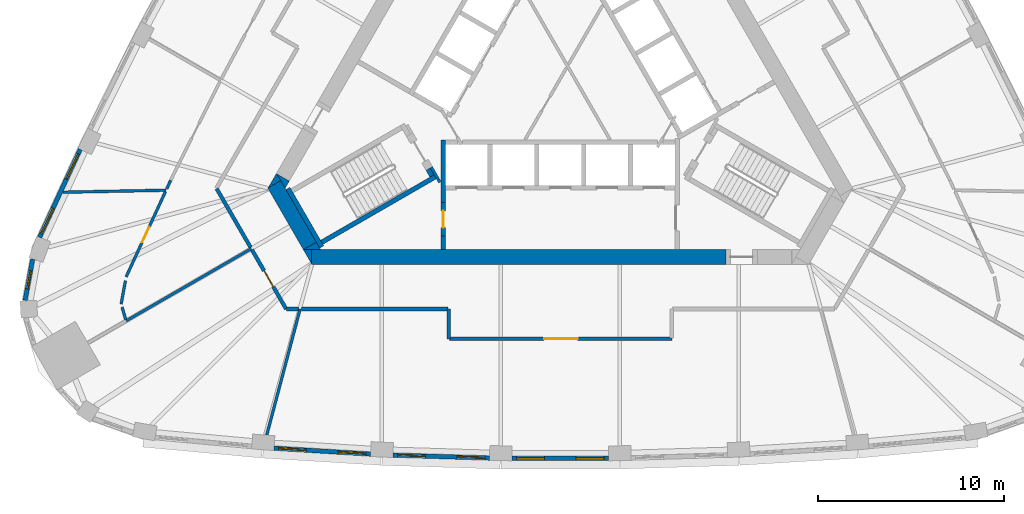
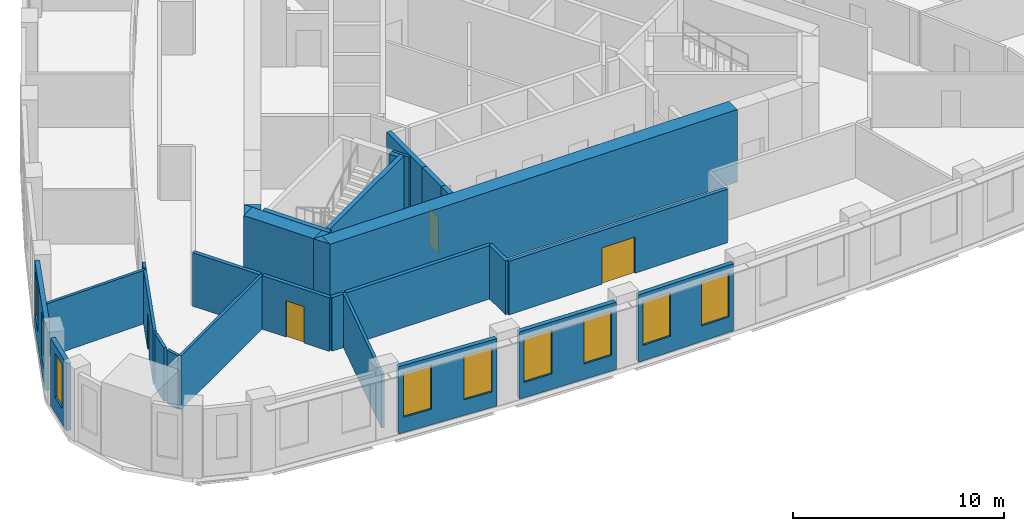
# One storey, part 3 of 10: 31 walls, 9 windows, 4 doors, 13 openings.
"""IFC4 building model written with IfcOpenShell, lengths in metres."""

from ifc_helpers import new_model, si_unit, direction, frame, frame_2d, origin, place, context, subcontext, project, spatial, polyline, rectangle, outline, extrude, material, layer, layer_set, type_object, element, fill, save


model = new_model("IFC4")

# Units and contexts
model_context = context("Model", 3, precision=1e-05, world=origin(), true_north=direction((0.0, 1.0)))
body_context = subcontext(model_context, "Body", "Model", "MODEL_VIEW")
ifc_project = project(units=[si_unit("LENGTHUNIT", "METRE"), si_unit("AREAUNIT", "SQUARE_METRE"), si_unit("VOLUMEUNIT", "CUBIC_METRE"), si_unit("PLANEANGLEUNIT", "RADIAN"), si_unit("MASSUNIT", "GRAM", prefix="KILO")], contexts=[model_context])

# Site, building, storey
site_placement = place(None, origin())
site = spatial("IfcSite", under=ifc_project, at=site_placement, CompositionType="ELEMENT")
building_placement = place(site_placement, origin())
building = spatial("IfcBuilding", under=site, at=building_placement, Name="Mestral Congress Tower", CompositionType="ELEMENT")
storey_placement = place(building_placement, frame((0.0, 0.0, 192.0)))
storey = spatial("IfcBuildingStorey", under=building, at=storey_placement, Name="L45", CompositionType="ELEMENT", Elevation=192.0)

# Walls
ifc_material_1 = material(Name="Concrete C60/75", Category="concrete")
ifc_layer_1 = layer(ifc_material_1, 0.800048828125)
ifc_layer_set_1 = layer_set([ifc_layer_1], Name="Concrete C60/75")
wall_type_1 = type_object("IfcWallType", Name="Core wall RC 800", PredefinedType="SOLIDWALL", material=ifc_layer_set_1)
wall_1_placement = place(storey_placement, frame((-13.377685546875, -10.050048828125, 0.0), z_axis=(0.0, 0.0, 1.0), x_axis=(1.0, 0.0, 0.0)))
element("IfcWall", 1, at=wall_1_placement, inside=storey, type_object=wall_type_1, Name="L45 core wall", PredefinedType="SOLIDWALL", context=body_context, shape_type="SweptSolid", body=[
    extrude(rectangle(XDim=22.281982421875, YDim=0.800048828125, at=frame_2d((11.14111328125, 0.0))), origin(), (0.0, 0.0, 1.0), 4.199951171875),
])
placement = place(storey_placement, origin())
element("IfcWall", 2, at=placement, inside=storey, type_object=wall_type_1, Name="L45 core wall", PredefinedType="SOLIDWALL", context=body_context, shape_type="SweptSolid", body=[
    extrude(outline(polyline([(-13.82763671875, -9.64990234375), (-13.379638671875, -9.64990234375), (-13.379638671875, -10.42578125), (-13.82763671875, -9.64990234375)])), origin(), (0.0, 0.0, 1.0), 4.199951171875),
])
wall_3_placement = place(storey_placement, frame((-15.392333984375, -6.1396484375, 0.0), z_axis=(0.0, 0.0, 1.0), x_axis=(0.499984020225, -0.866034629516, 0.0)))
element("IfcWall", 3, at=wall_3_placement, inside=storey, type_object=wall_type_1, Name="L45 core wall", PredefinedType="SOLIDWALL", context=body_context, shape_type="SweptSolid", body=[
    extrude(rectangle(XDim=3.824462890625, YDim=0.800048828125, at=frame_2d((1.912109375, 0.0))), origin(), (0.0, 0.0, 1.0), 4.199951171875),
])
element("IfcWall", 4, at=placement, inside=storey, type_object=wall_type_1, Name="L45 core wall", PredefinedType="SOLIDWALL", context=body_context, shape_type="SweptSolid", body=[
    extrude(outline(polyline([(-15.046875, -5.93798828125), (-15.718994140625, -6.325927734375), (-15.27099609375, -5.550048828125), (-15.046875, -5.93798828125)])), origin(), (0.0, 0.0, 1.0), 4.199951171875),
])
element("IfcWall", 5, at=placement, inside=storey, type_object=wall_type_1, Name="L45 core wall", PredefinedType="SOLIDWALL", context=body_context, shape_type="SweptSolid", body=[
    extrude(outline(polyline([(-12.90380859375, -9.64990234375), (-13.81982421875, -9.64990234375), (-13.1328125, -9.25341796875), (-12.90380859375, -9.64990234375)])), origin(), (0.0, 0.0, 1.0), 4.199951171875),
])
element("IfcWall", 6, at=placement, inside=storey, type_object=wall_type_1, Name="L45 core wall", PredefinedType="SOLIDWALL", context=body_context, shape_type="SweptSolid", body=[
    extrude(outline(polyline([(-14.80908203125, -6.35009765625), (-15.257080078125, -5.573974609375), (-14.5849609375, -5.9619140625), (-14.80908203125, -6.35009765625)])), origin(), (0.0, 0.0, 1.0), 4.199951171875),
])

# Wall, openings, windows
ifc_material_2 = material(Name="Precast concrete C40/50 with limestone facing", Category="masonry")
ifc_layer_2 = layer(ifc_material_2, 0.239990234375)
ifc_layer_set_2 = layer_set([ifc_layer_2], Name="Precast concrete C40/50 with limestone facing")
wall_type_2 = type_object("IfcWallType", Name="Facade stone wall 240", PredefinedType="SOLIDWALL", material=ifc_layer_set_2)
wall_7_placement = place(storey_placement, frame((-15.404541015625, -20.33837890625, 0.0), z_axis=(0.0, 0.0, 1.0), x_axis=(0.998135294646, -0.061040425794, 0.0)))
wall_7 = element("IfcWall", 7, at=wall_7_placement, inside=storey, type_object=wall_type_2, Name="Facade wall F0-01", PredefinedType="SOLIDWALL", context=body_context, shape_type="SweptSolid", body=[
    extrude(rectangle(XDim=5.20361328125, YDim=0.239990234375, at=frame_2d((2.601806640625, 0.0))), origin(), (0.0, 0.0, 1.0), 3.89990234375),
])
opening_1_placement = place(wall_7_placement, frame((0.248291015625, 0.0, 0.89990234375)))
opening_1 = element("IfcOpeningElement", 8, at=opening_1_placement, cuts=wall_7, Name="Opening W4", PredefinedType="OPENING", context=body_context, shape_type="SweptSolid", body=[
    extrude(rectangle(XDim=1.5, YDim=2.550048828125, at=frame_2d((0.75, 1.27490234375))), frame((0.0, 0.1298828125, 0.0), z_axis=(0.0, -1.0, 0.0), x_axis=(1.0, 0.0, 0.0)), (0.0, 0.0, 1.0), 0.260009765625),
])
opening_2_placement = place(wall_7_placement, frame((3.455078125, 0.0, 0.89990234375)))
opening_2 = element("IfcOpeningElement", 9, at=opening_2_placement, cuts=wall_7, Name="Opening W4", PredefinedType="OPENING", context=body_context, shape_type="SweptSolid", body=[
    extrude(rectangle(XDim=1.5, YDim=2.550048828125, at=frame_2d((0.75, 1.27490234375))), frame((0.0, 0.1298828125, 0.0), z_axis=(0.0, -1.0, 0.0), x_axis=(1.0, 0.0, 0.0)), (0.0, 0.0, 1.0), 0.260009765625),
])
ifc_material_3 = material(Name="Clear low-emissivity double glazing", Category="glass")
window_type_1 = type_object("IfcWindowType", Name="Facade punched window 1500 x 2550 sill 900", PartitioningType="SINGLE_PANEL", PredefinedType="WINDOW", material=ifc_material_3)
window_1_placement = place(opening_1_placement, origin())
window_1 = element("IfcWindow", 10, at=window_1_placement, inside=storey, type_object=window_type_1, Name="Window F0-01a", OverallHeight=2.550048828125, OverallWidth=1.5, PartitioningType="SINGLE_PANEL", PredefinedType="WINDOW", context=body_context, shape_type="SweptSolid", body=[
    extrude(rectangle(XDim=1.5, YDim=2.550048828125, at=frame_2d((0.75, 1.27490234375))), frame((0.0, 0.0400390625, 0.0), z_axis=(0.0, -1.0, 0.0), x_axis=(1.0, 0.0, 0.0)), (0.0, 0.0, 1.0), 0.06005859375),
])
fill(opening_1, window_1)
window_2_placement = place(opening_2_placement, origin())
window_2 = element("IfcWindow", 11, at=window_2_placement, inside=storey, type_object=window_type_1, Name="Window F0-01b", OverallHeight=2.550048828125, OverallWidth=1.5, PartitioningType="SINGLE_PANEL", PredefinedType="WINDOW", context=body_context, shape_type="SweptSolid", body=[
    extrude(rectangle(XDim=1.5, YDim=2.550048828125, at=frame_2d((0.75, 1.27490234375))), frame((0.0, 0.0400390625, 0.0), z_axis=(0.0, -1.0, 0.0), x_axis=(1.0, 0.0, 0.0)), (0.0, 0.0, 1.0), 0.06005859375),
])
fill(opening_2, window_2)

wall_8_placement = place(storey_placement, frame((-9.00732421875, -20.7109375, 0.0), z_axis=(0.0, 0.0, 1.0), x_axis=(0.999533441983, -0.030543384845, 0.0)))
wall_8 = element("IfcWall", 12, at=wall_8_placement, inside=storey, type_object=wall_type_2, Name="Facade wall F0-02", PredefinedType="SOLIDWALL", context=body_context, shape_type="SweptSolid", body=[
    extrude(rectangle(XDim=5.20361328125, YDim=0.239990234375, at=frame_2d((2.601806640625, 0.0))), origin(), (0.0, 0.0, 1.0), 3.89990234375),
])
opening_3_placement = place(wall_8_placement, frame((0.248291015625, 0.0, 0.89990234375)))
opening_3 = element("IfcOpeningElement", 13, at=opening_3_placement, cuts=wall_8, Name="Opening W4", PredefinedType="OPENING", context=body_context, shape_type="SweptSolid", body=[
    extrude(rectangle(XDim=1.5, YDim=2.550048828125, at=frame_2d((0.75, 1.27490234375))), frame((0.0, 0.1298828125, 0.0), z_axis=(0.0, -1.0, 0.0), x_axis=(1.0, 0.0, 0.0)), (0.0, 0.0, 1.0), 0.260009765625),
])
opening_4_placement = place(wall_8_placement, frame((3.455078125, 0.0, 0.89990234375)))
opening_4 = element("IfcOpeningElement", 14, at=opening_4_placement, cuts=wall_8, Name="Opening W4", PredefinedType="OPENING", context=body_context, shape_type="SweptSolid", body=[
    extrude(rectangle(XDim=1.5, YDim=2.550048828125, at=frame_2d((0.75, 1.27490234375))), frame((0.0, 0.1298828125, 0.0), z_axis=(0.0, -1.0, 0.0), x_axis=(1.0, 0.0, 0.0)), (0.0, 0.0, 1.0), 0.260009765625),
])
window_3_placement = place(opening_3_placement, origin())
window_3 = element("IfcWindow", 15, at=window_3_placement, inside=storey, type_object=window_type_1, Name="Window F0-02a", OverallHeight=2.550048828125, OverallWidth=1.5, PartitioningType="SINGLE_PANEL", PredefinedType="WINDOW", context=body_context, shape_type="SweptSolid", body=[
    extrude(rectangle(XDim=1.5, YDim=2.550048828125, at=frame_2d((0.75, 1.27490234375))), frame((0.0, 0.0400390625, 0.0), z_axis=(0.0, -1.0, 0.0), x_axis=(1.0, 0.0, 0.0)), (0.0, 0.0, 1.0), 0.06005859375),
])
fill(opening_3, window_3)
window_4_placement = place(opening_4_placement, origin())
window_4 = element("IfcWindow", 16, at=window_4_placement, inside=storey, type_object=window_type_1, Name="Window F0-02b", OverallHeight=2.550048828125, OverallWidth=1.5, PartitioningType="SINGLE_PANEL", PredefinedType="WINDOW", context=body_context, shape_type="SweptSolid", body=[
    extrude(rectangle(XDim=1.5, YDim=2.550048828125, at=frame_2d((0.75, 1.27490234375))), frame((0.0, 0.0400390625, 0.0), z_axis=(0.0, -1.0, 0.0), x_axis=(1.0, 0.0, 0.0)), (0.0, 0.0, 1.0), 0.06005859375),
])
fill(opening_4, window_4)

wall_9_placement = place(storey_placement, frame((-2.601806640625, -20.88818359375, 0.0), z_axis=(0.0, 0.0, 1.0), x_axis=(1.0, 0.0, 0.0)))
wall_9 = element("IfcWall", 17, at=wall_9_placement, inside=storey, type_object=wall_type_2, Name="Facade wall F0-03", PredefinedType="SOLIDWALL", context=body_context, shape_type="SweptSolid", body=[
    extrude(rectangle(XDim=5.20361328125, YDim=0.239990234375, at=frame_2d((2.601806640625, 0.0))), origin(), (0.0, 0.0, 1.0), 3.89990234375),
])
opening_5_placement = place(wall_9_placement, frame((0.248291015625, 0.0, 0.89990234375)))
opening_5 = element("IfcOpeningElement", 18, at=opening_5_placement, cuts=wall_9, Name="Opening W4", PredefinedType="OPENING", context=body_context, shape_type="SweptSolid", body=[
    extrude(rectangle(XDim=1.5, YDim=2.550048828125, at=frame_2d((0.75, 1.27490234375))), frame((0.0, 0.1298828125, 0.0), z_axis=(0.0, -1.0, 0.0), x_axis=(1.0, 0.0, 0.0)), (0.0, 0.0, 1.0), 0.260009765625),
])
opening_6_placement = place(wall_9_placement, frame((3.455078125, 0.0, 0.89990234375)))
opening_6 = element("IfcOpeningElement", 19, at=opening_6_placement, cuts=wall_9, Name="Opening W4", PredefinedType="OPENING", context=body_context, shape_type="SweptSolid", body=[
    extrude(rectangle(XDim=1.5, YDim=2.550048828125, at=frame_2d((0.75, 1.27490234375))), frame((0.0, 0.1298828125, 0.0), z_axis=(0.0, -1.0, 0.0), x_axis=(1.0, 0.0, 0.0)), (0.0, 0.0, 1.0), 0.260009765625),
])
window_5_placement = place(opening_5_placement, origin())
window_5 = element("IfcWindow", 20, at=window_5_placement, inside=storey, type_object=window_type_1, Name="Window F0-03a", OverallHeight=2.550048828125, OverallWidth=1.5, PartitioningType="SINGLE_PANEL", PredefinedType="WINDOW", context=body_context, shape_type="SweptSolid", body=[
    extrude(rectangle(XDim=1.5, YDim=2.550048828125, at=frame_2d((0.75, 1.27490234375))), frame((0.0, 0.0400390625, 0.0), z_axis=(0.0, -1.0, 0.0), x_axis=(1.0, 0.0, 0.0)), (0.0, 0.0, 1.0), 0.06005859375),
])
fill(opening_5, window_5)
window_6_placement = place(opening_6_placement, origin())
window_6 = element("IfcWindow", 21, at=window_6_placement, inside=storey, type_object=window_type_1, Name="Window F0-03b", OverallHeight=2.550048828125, OverallWidth=1.5, PartitioningType="SINGLE_PANEL", PredefinedType="WINDOW", context=body_context, shape_type="SweptSolid", body=[
    extrude(rectangle(XDim=1.5, YDim=2.550048828125, at=frame_2d((0.75, 1.27490234375))), frame((0.0, 0.0400390625, 0.0), z_axis=(0.0, -1.0, 0.0), x_axis=(1.0, 0.0, 0.0)), (0.0, 0.0, 1.0), 0.06005859375),
])
fill(opening_6, window_6)

wall_10_placement = place(storey_placement, frame((-25.8369140625, -4.2578125, 0.0), z_axis=(0.0, 0.0, 1.0), x_axis=(-0.418722559465, -0.908114209885, 0.0)))
wall_10 = element("IfcWall", 22, at=wall_10_placement, inside=storey, type_object=wall_type_2, Name="Facade wall F2-06", PredefinedType="SOLIDWALL", context=body_context, shape_type="SweptSolid", body=[
    extrude(rectangle(XDim=5.213134765625, YDim=0.239990234375, at=frame_2d((2.6064453125, 0.0))), origin(), (0.0, 0.0, 1.0), 3.89990234375),
])
opening_7_placement = place(wall_10_placement, frame((0.2607421875, 0.0, 0.89990234375)))
opening_7 = element("IfcOpeningElement", 23, at=opening_7_placement, cuts=wall_10, Name="Opening W4", PredefinedType="OPENING", context=body_context, shape_type="SweptSolid", body=[
    extrude(rectangle(XDim=1.5, YDim=2.550048828125, at=frame_2d((0.75, 1.27490234375))), frame((0.0, 0.1298828125, 0.0), z_axis=(0.0, -1.0, 0.0), x_axis=(1.0, 0.0, 0.0)), (0.0, 0.0, 1.0), 0.260009765625),
])
opening_8_placement = place(wall_10_placement, frame((3.492431640625, 0.0, 0.89990234375)))
opening_8 = element("IfcOpeningElement", 24, at=opening_8_placement, cuts=wall_10, Name="Opening W4", PredefinedType="OPENING", context=body_context, shape_type="SweptSolid", body=[
    extrude(rectangle(XDim=1.5, YDim=2.550048828125, at=frame_2d((0.75, 1.27490234375))), frame((0.0, 0.1298828125, 0.0), z_axis=(0.0, -1.0, 0.0), x_axis=(1.0, 0.0, 0.0)), (0.0, 0.0, 1.0), 0.260009765625),
])
window_7_placement = place(opening_7_placement, origin())
window_7 = element("IfcWindow", 25, at=window_7_placement, inside=storey, type_object=window_type_1, Name="Window F2-06a", OverallHeight=2.550048828125, OverallWidth=1.5, PartitioningType="SINGLE_PANEL", PredefinedType="WINDOW", context=body_context, shape_type="SweptSolid", body=[
    extrude(rectangle(XDim=1.5, YDim=2.550048828125, at=frame_2d((0.75, 1.27490234375))), frame((0.0, 0.0400390625, 0.0), z_axis=(0.0, -1.0, 0.0), x_axis=(1.0, 0.0, 0.0)), (0.0, 0.0, 1.0), 0.06005859375),
])
fill(opening_7, window_7)
window_8_placement = place(opening_8_placement, origin())
window_8 = element("IfcWindow", 26, at=window_8_placement, inside=storey, type_object=window_type_1, Name="Window F2-06b", OverallHeight=2.550048828125, OverallWidth=1.5, PartitioningType="SINGLE_PANEL", PredefinedType="WINDOW", context=body_context, shape_type="SweptSolid", body=[
    extrude(rectangle(XDim=1.5, YDim=2.550048828125, at=frame_2d((0.75, 1.27490234375))), frame((0.0, 0.0400390625, 0.0), z_axis=(0.0, -1.0, 0.0), x_axis=(1.0, 0.0, 0.0)), (0.0, 0.0, 1.0), 0.06005859375),
])
fill(opening_8, window_8)

# Wall, opening, window
wall_11_placement = place(storey_placement, frame((-28.392578125, -10.166748046875, 0.0), z_axis=(0.0, 0.0, 1.0), x_axis=(-0.180737189259, -0.983531427265, 0.0)))
wall_11 = element("IfcWall", 27, at=wall_11_placement, inside=storey, type_object=wall_type_2, Name="Facade wall K2-0", PredefinedType="SOLIDWALL", context=body_context, shape_type="SweptSolid", body=[
    extrude(rectangle(XDim=2.25048828125, YDim=0.239990234375, at=frame_2d((1.125244140625, 0.0))), origin(), (0.0, 0.0, 1.0), 3.89990234375),
])
opening_9_placement = place(wall_11_placement, frame((0.625244140625, 0.0, 0.89990234375)))
opening_9 = element("IfcOpeningElement", 28, at=opening_9_placement, cuts=wall_11, Name="Opening W5", PredefinedType="OPENING", context=body_context, shape_type="SweptSolid", body=[
    extrude(rectangle(XDim=1.0, YDim=2.550048828125, at=frame_2d((0.5, 1.27490234375))), frame((0.0, 0.1298828125, 0.0), z_axis=(0.0, -1.0, 0.0), x_axis=(1.0, 0.0, 0.0)), (0.0, 0.0, 1.0), 0.260009765625),
])
window_type_2 = type_object("IfcWindowType", Name="Facade punched window 1000 x 2550 sill 900", PartitioningType="SINGLE_PANEL", PredefinedType="WINDOW", material=ifc_material_3)
window_9_placement = place(opening_9_placement, origin())
window_9 = element("IfcWindow", 29, at=window_9_placement, inside=storey, type_object=window_type_2, Name="Window K2-0", OverallHeight=2.550048828125, OverallWidth=1.0, PartitioningType="SINGLE_PANEL", PredefinedType="WINDOW", context=body_context, shape_type="SweptSolid", body=[
    extrude(rectangle(XDim=1.0, YDim=2.550048828125, at=frame_2d((0.5, 1.27490234375))), frame((0.0, 0.0400390625, 0.0), z_axis=(0.0, -1.0, 0.0), x_axis=(1.0, 0.0, 0.0)), (0.0, 0.0, 1.0), 0.06005859375),
])
fill(opening_9, window_9)

# Walls
ifc_material_4 = material(Name="Plasterboard partition on steel studs", Category="steel")
ifc_layer_3 = layer(ifc_material_4, 0.14990234375)
ifc_layer_set_3 = layer_set([ifc_layer_3], Name="Plasterboard partition on steel studs")
wall_type_3 = type_object("IfcWallType", Name="Office partition 150", PredefinedType="PARTITIONING", material=ifc_layer_set_3)
wall_12_placement = place(storey_placement, frame((-15.797607421875, -19.635498046875, 0.0), z_axis=(0.0, 0.0, 1.0), x_axis=(0.255926020624, 0.966696370102, 0.0)))
element("IfcWall", 30, at=wall_12_placement, inside=storey, type_object=wall_type_3, Name="Partition", PredefinedType="PARTITIONING", context=body_context, shape_type="SweptSolid", body=[
    extrude(rectangle(XDim=7.01904296875, YDim=0.14990234375, at=frame_2d((3.509521484375, 0.0))), origin(), (0.0, 0.0, 1.0), 3.10009765625),
])
wall_13_placement = place(storey_placement, frame((-23.366455078125, -13.49072265625, 0.0), z_axis=(0.0, 0.0, 1.0), x_axis=(0.866025704444, 0.499999479242, 0.0)))
element("IfcWall", 31, at=wall_13_placement, inside=storey, type_object=wall_type_3, Name="Partition", PredefinedType="PARTITIONING", context=body_context, shape_type="SweptSolid", body=[
    extrude(rectangle(XDim=7.78125, YDim=0.14990234375, at=frame_2d((3.890625, 0.0))), origin(), (0.0, 0.0, 1.0), 3.10009765625),
])
wall_14_placement = place(storey_placement, frame((-21.212890625, -6.45703125, 0.0), z_axis=(0.0, 0.0, 1.0), x_axis=(-0.9998097249, -0.019506767933, 0.0)))
element("IfcWall", 32, at=wall_14_placement, inside=storey, type_object=wall_type_3, Name="Partition", PredefinedType="PARTITIONING", context=body_context, shape_type="SweptSolid", body=[
    extrude(rectangle(XDim=5.556884765625, YDim=0.14990234375, at=frame_2d((2.7783203125, 0.0))), origin(), (0.0, 0.0, 1.0), 3.10009765625),
])
wall_15_placement = place(storey_placement, frame((-20.9677734375, -5.92529296875, 0.0), z_axis=(0.0, 0.0, 1.0), x_axis=(-0.418595665074, -0.908172708895, 0.0)))
element("IfcWall", 33, at=wall_15_placement, inside=storey, type_object=wall_type_3, Name="Partition", PredefinedType="PARTITIONING", context=body_context, shape_type="SweptSolid", body=[
    extrude(rectangle(XDim=0.502197265625, YDim=0.14990234375, at=frame_2d((0.2509765625, 0.0))), origin(), (0.0, 0.0, 1.0), 3.10009765625),
])

# Wall, opening, door
wall_16_placement = place(storey_placement, frame((-23.361572265625, -11.116943359375, 0.0), z_axis=(0.0, 0.0, 1.0), x_axis=(0.418726921953, 0.908112198372, 0.0)))
wall_16 = element("IfcWall", 34, at=wall_16_placement, inside=storey, type_object=wall_type_3, Name="Partition", PredefinedType="PARTITIONING", context=body_context, shape_type="SweptSolid", body=[
    extrude(rectangle(XDim=5.048095703125, YDim=0.14990234375, at=frame_2d((2.52392578125, 0.0))), origin(), (0.0, 0.0, 1.0), 3.10009765625),
])
opening_10_placement = place(wall_16_placement, frame((2.048095703125, 0.0, 0.0)))
opening_10 = element("IfcOpeningElement", 35, at=opening_10_placement, cuts=wall_16, Name="Opening O05-016", PredefinedType="OPENING", context=body_context, shape_type="SweptSolid", body=[
    extrude(rectangle(XDim=0.89990234375, YDim=2.10009765625, at=frame_2d((0.449951171875, 1.050048828125))), frame((0.0, 0.0849609375, 0.0), z_axis=(0.0, -1.0, 0.0), x_axis=(1.0, 0.0, 0.0)), (0.0, 0.0, 1.0), 0.169921875),
])
ifc_material_5 = material(Name="Timber door set", Category="wood")
door_type_1 = type_object("IfcDoorType", Name="Office door 900x2100", OperationType="SINGLE_SWING_LEFT", PredefinedType="DOOR", material=ifc_material_5)
door_1_placement = place(opening_10_placement, origin())
door_1 = element("IfcDoor", 36, at=door_1_placement, inside=storey, type_object=door_type_1, Name="Door O05-016", OperationType="SINGLE_SWING_LEFT", OverallHeight=2.10009765625, OverallWidth=0.89990234375, PredefinedType="DOOR", context=body_context, shape_type="SweptSolid", body=[
    extrude(rectangle(XDim=0.89990234375, YDim=2.10009765625, at=frame_2d((0.449951171875, 1.050048828125))), frame((0.0, 0.02490234375, 0.0), z_axis=(0.0, -1.0, 0.0), x_axis=(1.0, 0.0, 0.0)), (0.0, 0.0, 1.0), 0.050048828125),
])
fill(opening_10, door_1)

# Walls
wall_17_placement = place(storey_placement, frame((-23.400146484375, -11.32763671875, 0.0), z_axis=(0.0, 0.0, 1.0), x_axis=(-0.180632672113, -0.983550627962, 0.0)))
element("IfcWall", 37, at=wall_17_placement, inside=storey, type_object=wall_type_3, Name="Partition", PredefinedType="PARTITIONING", context=body_context, shape_type="SweptSolid", body=[
    extrude(rectangle(XDim=1.278564453125, YDim=0.14990234375, at=frame_2d((0.63916015625, 0.0))), origin(), (0.0, 0.0, 1.0), 3.10009765625),
])
wall_18_placement = place(storey_placement, frame((-23.583984375, -12.743896484375, 0.0), z_axis=(0.0, 0.0, 1.0), x_axis=(0.284337771978, -0.958724168584, 0.0)))
element("IfcWall", 38, at=wall_18_placement, inside=storey, type_object=wall_type_3, Name="Partition", PredefinedType="PARTITIONING", context=body_context, shape_type="SweptSolid", body=[
    extrude(rectangle(XDim=0.69970703125, YDim=0.14990234375, at=frame_2d((0.349853515625, 0.0))), origin(), (0.0, 0.0, 1.0), 3.10009765625),
])
ifc_material_6 = material(Name="Dense masonry wall, plastered", Category="masonry")
ifc_layer_4 = layer(ifc_material_6, 0.199951171875)
ifc_layer_set_4 = layer_set([ifc_layer_4], Name="Dense masonry wall, plastered")
wall_type_4 = type_object("IfcWallType", Name="Office tenancy wall 200", PredefinedType="PARTITIONING", material=ifc_layer_set_4)
wall_19_placement = place(storey_placement, frame((-6.0, -12.85009765625, 0.0), z_axis=(0.0, 0.0, 1.0), x_axis=(0.0, -1.0, 0.0)))
element("IfcWall", 39, at=wall_19_placement, inside=storey, type_object=wall_type_4, Name="Tenancy wall", PredefinedType="PARTITIONING", context=body_context, shape_type="SweptSolid", body=[
    extrude(rectangle(XDim=1.599853515625, YDim=0.199951171875, at=frame_2d((0.7998046875, 0.0))), origin(), (0.0, 0.0, 1.0), 3.10009765625),
])

# Wall, opening, door
wall_20_placement = place(storey_placement, frame((-5.969970703125, -14.449951171875, 0.0), z_axis=(0.0, 0.0, 1.0), x_axis=(1.0, 0.0, 0.0)))
wall_20 = element("IfcWall", 40, at=wall_20_placement, inside=storey, type_object=wall_type_4, Name="Tenancy wall", PredefinedType="PARTITIONING", context=body_context, shape_type="SweptSolid", body=[
    extrude(rectangle(XDim=11.969970703125, YDim=0.199951171875, at=frame_2d((5.98486328125, 0.0))), origin(), (0.0, 0.0, 1.0), 3.10009765625),
])
opening_11_placement = place(wall_20_placement, frame((5.10009765625, 0.0, 0.0)))
opening_11 = element("IfcOpeningElement", 41, at=opening_11_placement, cuts=wall_20, Name="Opening O05-001", PredefinedType="OPENING", context=body_context, shape_type="SweptSolid", body=[
    extrude(rectangle(XDim=1.800048828125, YDim=2.10009765625, at=frame_2d((0.89990234375, 1.050048828125))), frame((0.0, 0.10986328125, 0.0), z_axis=(0.0, -1.0, 0.0), x_axis=(1.0, 0.0, 0.0)), (0.0, 0.0, 1.0), 0.219970703125),
])
ifc_material_7 = material(Name="Fire-rated timber door set", Category="wood")
door_type_2 = type_object("IfcDoorType", Name="Office assembly double door 1800x2100", OperationType="DOUBLE_DOOR_SINGLE_SWING", PredefinedType="DOOR", material=ifc_material_7)
door_2_placement = place(opening_11_placement, origin())
door_2 = element("IfcDoor", 42, at=door_2_placement, inside=storey, type_object=door_type_2, Name="Door O05-001", OperationType="DOUBLE_DOOR_SINGLE_SWING", OverallHeight=2.10009765625, OverallWidth=1.800048828125, PredefinedType="DOOR", context=body_context, shape_type="SweptSolid", body=[
    extrude(rectangle(XDim=1.800048828125, YDim=2.10009765625, at=frame_2d((0.89990234375, 1.050048828125))), frame((0.0, 0.02490234375, 0.0), z_axis=(0.0, -1.0, 0.0), x_axis=(1.0, 0.0, 0.0)), (0.0, 0.0, 1.0), 0.050048828125),
])
fill(opening_11, door_2)

# Wall
wall_21_placement = place(storey_placement, frame((-13.923583984375, -12.85009765625, 0.0), z_axis=(0.0, 0.0, 1.0), x_axis=(1.0, 0.0, 0.0)))
element("IfcWall", 43, at=wall_21_placement, inside=storey, type_object=wall_type_4, Name="Tenancy wall", PredefinedType="PARTITIONING", context=body_context, shape_type="SweptSolid", body=[
    extrude(rectangle(XDim=7.8935546875, YDim=0.199951171875, at=frame_2d((3.94677734375, 0.0))), origin(), (0.0, 0.0, 1.0), 3.10009765625),
])

# Wall, opening, door
wall_22_placement = place(storey_placement, frame((-16.590087890625, -9.6650390625, 0.0), z_axis=(0.0, 0.0, 1.0), x_axis=(0.499994443168, -0.866028611999, 0.0)))
wall_22 = element("IfcWall", 44, at=wall_22_placement, inside=storey, type_object=wall_type_4, Name="Tenancy wall", PredefinedType="PARTITIONING", context=body_context, shape_type="SweptSolid", body=[
    extrude(rectangle(XDim=3.677734375, YDim=0.199951171875, at=frame_2d((1.8388671875, 0.0))), origin(), (0.0, 0.0, 1.0), 3.10009765625),
])
opening_12_placement = place(wall_22_placement, frame((1.300048828125, 0.0, 0.0)))
opening_12 = element("IfcOpeningElement", 45, at=opening_12_placement, cuts=wall_22, Name="Opening O05-003", PredefinedType="OPENING", context=body_context, shape_type="SweptSolid", body=[
    extrude(rectangle(XDim=1.0, YDim=2.10009765625, at=frame_2d((0.5, 1.050048828125))), frame((0.0, 0.10986328125, 0.0), z_axis=(0.0, -1.0, 0.0), x_axis=(1.0, 0.0, 0.0)), (0.0, 0.0, 1.0), 0.219970703125),
])
door_type_3 = type_object("IfcDoorType", Name="Office tenancy entrance door 1000x2100", OperationType="SINGLE_SWING_LEFT", PredefinedType="DOOR", material=ifc_material_7)
door_3_placement = place(opening_12_placement, origin())
door_3 = element("IfcDoor", 46, at=door_3_placement, inside=storey, type_object=door_type_3, Name="Door O05-003", OperationType="SINGLE_SWING_LEFT", OverallHeight=2.10009765625, OverallWidth=1.0, PredefinedType="DOOR", context=body_context, shape_type="SweptSolid", body=[
    extrude(rectangle(XDim=1.0, YDim=2.10009765625, at=frame_2d((0.5, 1.050048828125))), frame((0.0, 0.02490234375, 0.0), z_axis=(0.0, -1.0, 0.0), x_axis=(1.0, 0.0, 0.0)), (0.0, 0.0, 1.0), 0.050048828125),
])
fill(opening_12, door_3)

# Walls
wall_23_placement = place(storey_placement, frame((-14.72119140625, -12.85009765625, 0.0), z_axis=(0.0, 0.0, 1.0), x_axis=(1.0, 0.0, 0.0)))
element("IfcWall", 47, at=wall_23_placement, inside=storey, type_object=wall_type_4, Name="Tenancy wall", PredefinedType="PARTITIONING", context=body_context, shape_type="SweptSolid", body=[
    extrude(rectangle(XDim=0.642578125, YDim=0.199951171875, at=frame_2d((0.3212890625, 0.0))), origin(), (0.0, 0.0, 1.0), 3.10009765625),
])
wall_24_placement = place(storey_placement, frame((-18.489013671875, -6.3759765625, 0.0), z_axis=(0.0, 0.0, 1.0), x_axis=(0.499954196102, -0.866051847062, 0.0)))
element("IfcWall", 48, at=wall_24_placement, inside=storey, type_object=wall_type_4, Name="Tenancy wall", PredefinedType="PARTITIONING", context=body_context, shape_type="SweptSolid", body=[
    extrude(rectangle(XDim=3.647705078125, YDim=0.199951171875, at=frame_2d((1.82373046875, 0.0))), origin(), (0.0, 0.0, 1.0), 3.10009765625),
])
ifc_layer_5 = layer(ifc_material_1, 0.25)
ifc_layer_set_5 = layer_set([ifc_layer_5], Name="Concrete C60/75")
wall_type_5 = type_object("IfcWallType", Name="Shaft wall RC 250", PredefinedType="SOLIDWALL", material=ifc_layer_set_5)
wall_25_placement = place(storey_placement, frame((-6.300048828125, -8.9248046875, 0.0), z_axis=(0.0, 0.0, 1.0), x_axis=(0.0, -1.0, 0.0)))
element("IfcWall", 49, at=wall_25_placement, inside=storey, type_object=wall_type_5, Name="L45 core wall", PredefinedType="SOLIDWALL", context=body_context, shape_type="SweptSolid", body=[
    extrude(rectangle(XDim=0.72509765625, YDim=0.25, at=frame_2d((0.362548828125, 0.0))), origin(), (0.0, 0.0, 1.0), 4.199951171875),
])
wall_26_placement = place(storey_placement, frame((-6.300048828125, -7.12451171875, 0.0), z_axis=(0.0, 0.0, 1.0), x_axis=(0.0, 1.0, 0.0)))
element("IfcWall", 50, at=wall_26_placement, inside=storey, type_object=wall_type_5, Name="L45 core wall", PredefinedType="SOLIDWALL", context=body_context, shape_type="SweptSolid", body=[
    extrude(rectangle(XDim=3.37451171875, YDim=0.25, at=frame_2d((1.687255859375, 0.0))), origin(), (0.0, 0.0, 1.0), 4.199951171875),
])

# Wall, opening, door
wall_27_placement = place(storey_placement, frame((-6.300048828125, -7.12451171875, 0.0), z_axis=(0.0, 0.0, 1.0), x_axis=(0.0, -1.0, 0.0)))
wall_27 = element("IfcWall", 51, at=wall_27_placement, inside=storey, type_object=wall_type_5, Name="L45 door wall", PredefinedType="SOLIDWALL", context=body_context, shape_type="SweptSolid", body=[
    extrude(rectangle(XDim=1.800048828125, YDim=0.25, at=frame_2d((0.89990234375, 0.0))), origin(), (0.0, 0.0, 1.0), 4.199951171875),
])
opening_13_placement = place(wall_27_placement, frame((0.449951171875, 0.0, 0.0)))
opening_13 = element("IfcOpeningElement", 52, at=opening_13_placement, cuts=wall_27, Name="Opening TD3", PredefinedType="OPENING", context=body_context, shape_type="SweptSolid", body=[
    extrude(rectangle(XDim=0.89990234375, YDim=2.10009765625, at=frame_2d((0.449951171875, 1.050048828125))), frame((0.0, 0.135009765625, 0.0), z_axis=(0.0, -1.0, 0.0), x_axis=(1.0, 0.0, 0.0)), (0.0, 0.0, 1.0), 0.27001953125),
])
ifc_material_8 = material(Name="Fire-rated steel door set", Category="steel")
door_type_4 = type_object("IfcDoorType", Name="Core door SR 900x2100", OperationType="SINGLE_SWING_LEFT", PredefinedType="DOOR", material=ifc_material_8)
door_4_placement = place(opening_13_placement, origin())
door_4 = element("IfcDoor", 53, at=door_4_placement, inside=storey, type_object=door_type_4, Name="Door TD3", OperationType="SINGLE_SWING_LEFT", OverallHeight=2.10009765625, OverallWidth=0.89990234375, PredefinedType="DOOR", context=body_context, shape_type="SweptSolid", body=[
    extrude(rectangle(XDim=0.89990234375, YDim=2.10009765625, at=frame_2d((0.449951171875, 1.050048828125))), frame((0.0, 0.02490234375, 0.0), z_axis=(0.0, -1.0, 0.0), x_axis=(1.0, 0.0, 0.0)), (0.0, 0.0, 1.0), 0.050048828125),
])
fill(opening_13, door_4)

# Walls
ifc_layer_6 = layer(ifc_material_1, 0.14990234375)
ifc_layer_set_6 = layer_set([ifc_layer_6], Name="Concrete C60/75")
wall_type_6 = type_object("IfcWallType", Name="Shaft wall RC 250 door-wall 150", PredefinedType="SOLIDWALL", material=ifc_layer_set_6)
wall_28_placement = place(storey_placement, frame((-6.48046875, -6.026611328125, 0.0), z_axis=(0.0, 0.0, 1.0), x_axis=(-0.499927229454, 0.866067413802, 0.0)))
element("IfcWall", 54, at=wall_28_placement, inside=storey, type_object=wall_type_6, Name="L45 core wall", PredefinedType="PARTITIONING", context=body_context, shape_type="SweptSolid", body=[
    extrude(rectangle(XDim=0.928955078125, YDim=0.14990234375, at=frame_2d((0.46435546875, 0.0))), origin(), (0.0, 0.0, 1.0), 4.199951171875),
])
ifc_layer_7 = layer(ifc_material_1, 0.25)
ifc_layer_set_7 = layer_set([ifc_layer_7], Name="Concrete C60/75")
wall_type_7 = type_object("IfcWallType", Name="Stair wall RC 250", PredefinedType="SOLIDWALL", material=ifc_layer_set_7)
wall_29_placement = place(storey_placement, frame((-12.839599609375, -9.510986328125, 0.0), z_axis=(0.0, 0.0, 1.0), x_axis=(-0.499997733992, 0.866026712061, 0.0)))
element("IfcWall", 55, at=wall_29_placement, inside=storey, type_object=wall_type_7, Name="L45 core wall", PredefinedType="SOLIDWALL", context=body_context, shape_type="SweptSolid", body=[
    extrude(rectangle(XDim=3.6337890625, YDim=0.25, at=frame_2d((1.81689453125, 0.0))), origin(), (0.0, 0.0, 1.0), 4.199951171875),
])
wall_30_placement = place(storey_placement, frame((-12.83984375, -9.2607421875, 0.0), z_axis=(0.0, 0.0, 1.0), x_axis=(0.866016039709, 0.500016218704, 0.0)))
element("IfcWall", 56, at=wall_30_placement, inside=storey, type_object=wall_type_7, Name="L45 core wall", PredefinedType="SOLIDWALL", context=body_context, shape_type="SweptSolid", body=[
    extrude(rectangle(XDim=7.050048828125, YDim=0.25, at=frame_2d((3.52490234375, 0.0))), origin(), (0.0, 0.0, 1.0), 4.199951171875),
])
wall_31_placement = place(storey_placement, frame((-6.905029296875, -5.68994140625, 0.0), z_axis=(0.0, 0.0, 1.0), x_axis=(-0.500402024738, 0.865793170242, 0.0)))
element("IfcWall", 57, at=wall_31_placement, inside=storey, type_object=wall_type_7, Name="L45 core wall", PredefinedType="SOLIDWALL", context=body_context, shape_type="SweptSolid", body=[
    extrude(rectangle(XDim=0.425048828125, YDim=0.25, at=frame_2d((0.21240234375, 0.0))), origin(), (0.0, 0.0, 1.0), 4.199951171875),
])

save(model, "model.ifc")
